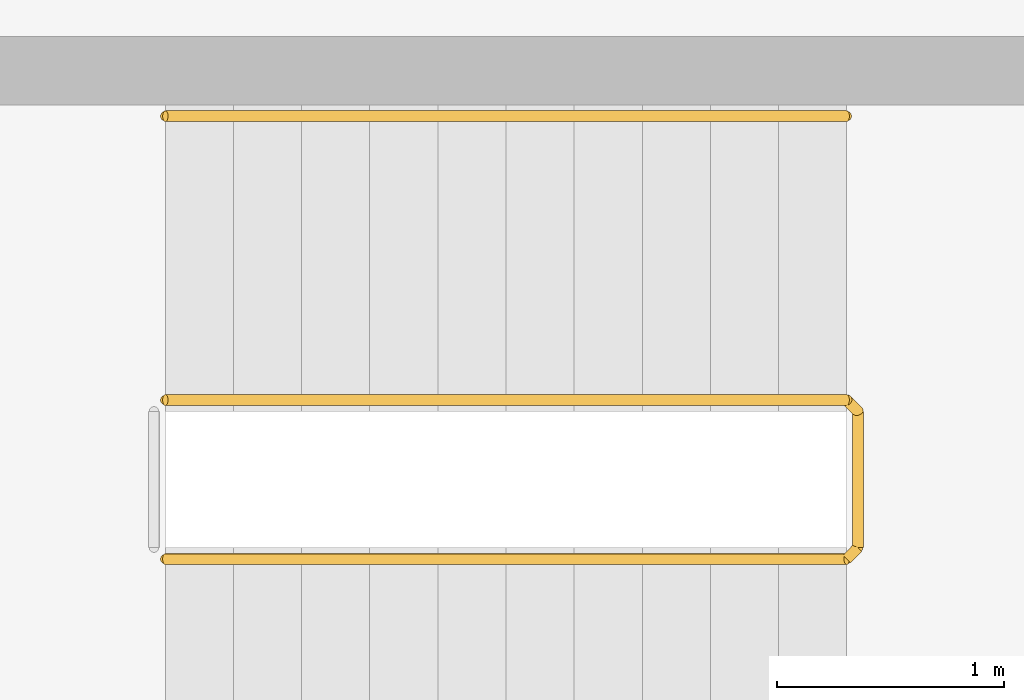
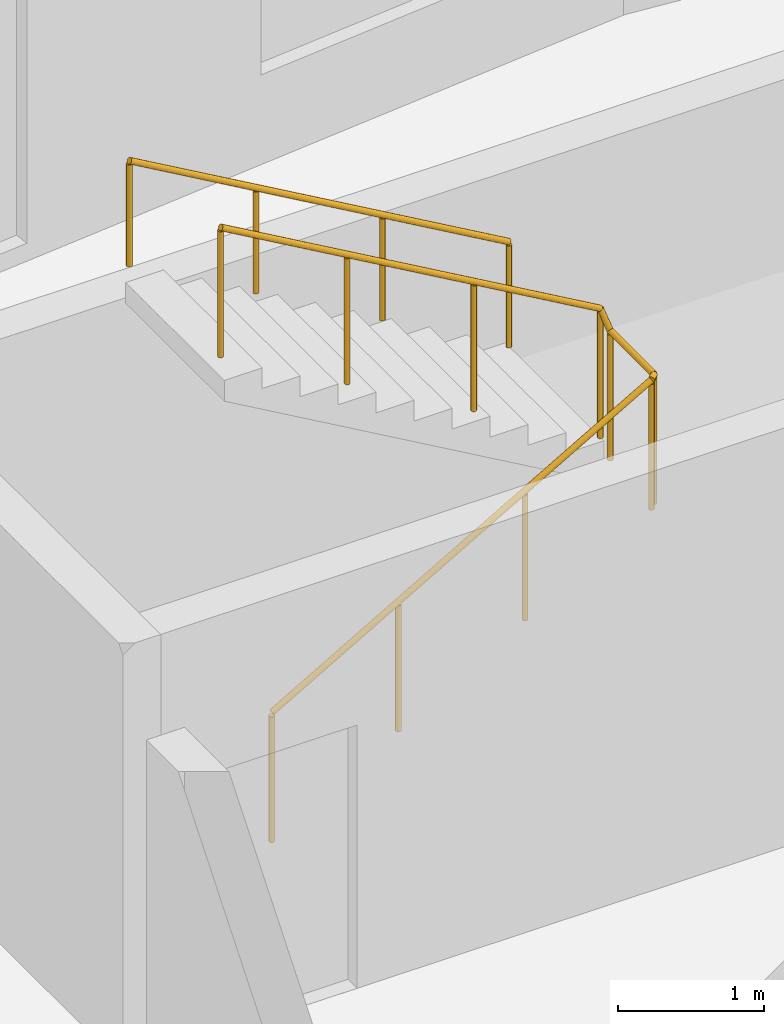
# One storey, part 11 of 11: 2 railings.
"""IFC4 building model written with IfcOpenShell, lengths in metres."""

from ifc_helpers import new_model, si_unit, direction, frame, origin, origin_2d, place, context, subcontext, project, spatial, circle, extrude, material, type_object, element, save


model = new_model("IFC4")

# Units and contexts
model_context = context("Model", 3, precision=1e-05, world=origin(), true_north=direction((0.0, 1.0)))
body_context = subcontext(model_context, "Body", "Model", "MODEL_VIEW")
ifc_project = project(units=[si_unit("LENGTHUNIT", "METRE"), si_unit("AREAUNIT", "SQUARE_METRE"), si_unit("VOLUMEUNIT", "CUBIC_METRE"), si_unit("PLANEANGLEUNIT", "RADIAN"), si_unit("MASSUNIT", "GRAM", prefix="KILO")], contexts=[model_context])

# Site, building, storey
site_placement = place(None, origin())
site = spatial("IfcSite", under=ifc_project, at=site_placement, CompositionType="ELEMENT")
building_placement = place(site_placement, origin())
building = spatial("IfcBuilding", under=site, at=building_placement, Name="Brondeck Convention Tower", CompositionType="ELEMENT")
storey_placement = place(building_placement, frame((0.0, 0.0, 115.10009765625)))
storey = spatial("IfcBuildingStorey", under=building, at=storey_placement, Name="L27", CompositionType="ELEMENT", Elevation=115.10009765625)

# Railings
ifc_material = material(Name="Steel S355", Category="steel")
railing_type_1 = type_object("IfcRailingType", Name="Stair guard 1100", PredefinedType="GUARDRAIL", material=ifc_material)
railing_1_placement = place(storey_placement, frame((37.85009765625, 55.449951171875, 0.172607421875)))
element("IfcRailing", 1, at=railing_1_placement, inside=storey, type_object=railing_type_1, Name="L27 ST-AE stair guard 1", PredefinedType="GUARDRAIL", context=body_context, shape_type="SweptSolid", body=[
    extrude(circle(Radius=0.02392578125, at=origin_2d()), frame((0.0, 0.0, 1.076171875), z_axis=(0.866619684472, 0.0, 0.498969260062), x_axis=(0.0, 1.0, 0.0)), (0.0, 0.0, 1.0), 3.461669921875),
    extrude(circle(Radius=0.02392578125, at=origin_2d()), frame((3.0, 0.0, 2.80322265625), z_axis=(0.705375805398, 0.708833529934, 0.0), x_axis=(-0.708833529934, 0.705375805398, 0.0)), (0.0, 0.0, 1.0), 0.070556640625),
    extrude(circle(Radius=0.02392578125, at=origin_2d()), frame((3.0498046875, 0.050048828125, 2.80322265625), z_axis=(0.0, 1.0, 0.0), x_axis=(-1.0, 0.0, 0.0)), (0.0, 0.0, 1.0), 0.60009765625),
    extrude(circle(Radius=0.02392578125, at=origin_2d()), frame((3.0498046875, 0.650146484375, 2.80322265625), z_axis=(-0.26715648603, 0.26715648603, 0.925880566782), x_axis=(-0.707106781187, -0.707106781187, 0.0)), (0.0, 0.0, 1.0), 0.1865234375),
    extrude(circle(Radius=0.02392578125, at=origin_2d()), frame((3.0, 0.699951171875, 2.97607421875), z_axis=(-0.866619684472, 0.0, 0.498969260062), x_axis=(0.0, -1.0, 0.0)), (0.0, 0.0, 1.0), 3.461669921875),
    extrude(circle(Radius=0.02099609375, at=origin_2d()), origin(), (0.0, 0.0, 1.0), 1.052001953125),
    extrude(circle(Radius=0.02099609375, at=origin_2d()), frame((1.0, 0.0, 0.57568359375)), (0.0, 0.0, 1.0), 1.052001953125),
    extrude(circle(Radius=0.02099609375, at=origin_2d()), frame((2.0, 0.0, 1.151611328125)), (0.0, 0.0, 1.0), 1.052001953125),
    extrude(circle(Radius=0.02099609375, at=origin_2d()), frame((3.0, 0.0, 1.727294921875)), (0.0, 0.0, 1.0), 1.052001953125),
    extrude(circle(Radius=0.02099609375, at=origin_2d()), frame((3.0498046875, 0.050048828125, 1.727294921875)), (0.0, 0.0, 1.0), 1.052001953125),
    extrude(circle(Radius=0.02099609375, at=origin_2d()), frame((3.0498046875, 0.650146484375, 1.727294921875)), (0.0, 0.0, 1.0), 1.052001953125),
    extrude(circle(Radius=0.02099609375, at=origin_2d()), frame((3.0, 0.699951171875, 1.89990234375)), (0.0, 0.0, 1.0), 1.052001953125),
    extrude(circle(Radius=0.02099609375, at=origin_2d()), frame((2.0, 0.699951171875, 2.4755859375)), (0.0, 0.0, 1.0), 1.052001953125),
    extrude(circle(Radius=0.02099609375, at=origin_2d()), frame((1.0, 0.699951171875, 3.051513671875)), (0.0, 0.0, 1.0), 1.052001953125),
    extrude(circle(Radius=0.02099609375, at=origin_2d()), frame((0.0, 0.699951171875, 3.627197265625)), (0.0, 0.0, 1.0), 1.052001953125),
])
railing_type_2 = type_object("IfcRailingType", Name="Stair handrail", PredefinedType="HANDRAIL", material=ifc_material)
railing_2_placement = place(storey_placement, frame((40.85009765625, 57.39990234375, 2.072509765625)))
element("IfcRailing", 2, at=railing_2_placement, inside=storey, type_object=railing_type_2, Name="L27 ST-AE stair handrail 2", PredefinedType="HANDRAIL", context=body_context, shape_type="SweptSolid", body=[
    extrude(circle(Radius=0.02392578125, at=origin_2d()), frame((0.0, 0.0, 0.8759765625), z_axis=(-0.866619684472, 0.0, 0.498969260062), x_axis=(0.0, -1.0, 0.0)), (0.0, 0.0, 1.0), 3.461669921875),
    extrude(circle(Radius=0.02099609375, at=origin_2d()), origin(), (0.0, 0.0, 1.0), 0.851806640625),
    extrude(circle(Radius=0.02099609375, at=origin_2d()), frame((-1.0, 0.0, 0.57568359375)), (0.0, 0.0, 1.0), 0.851806640625),
    extrude(circle(Radius=0.02099609375, at=origin_2d()), frame((-2.0, 0.0, 1.151611328125)), (0.0, 0.0, 1.0), 0.851806640625),
    extrude(circle(Radius=0.02099609375, at=origin_2d()), frame((-3.0, 0.0, 1.727294921875)), (0.0, 0.0, 1.0), 0.851806640625),
])

save(model, "model.ifc")
